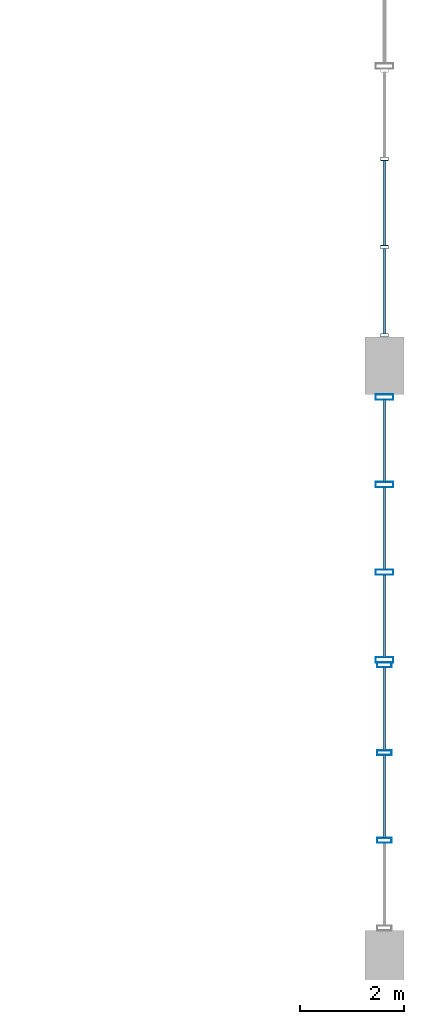
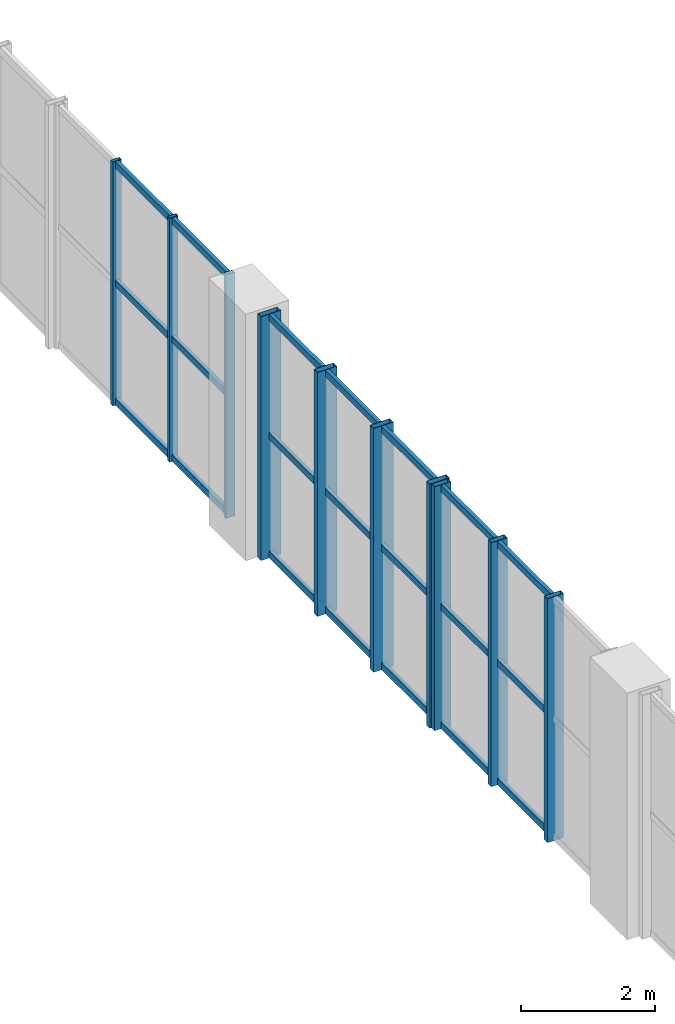
# One storey, part 44 of 80: 31 members, 3 elements without a shape of their own.
"""IFC4 building model written with IfcOpenShell, lengths in metres."""

import ifcopenshell
import ifcopenshell.guid

model = None  # the IFC model being written
_history = None  # IfcOwnerHistory: only IFC2X3 demands one
_inside = {}  # id of a spatial element -> (the spatial element, [elements in it])
_under = {}  # id of a project, library or spatial element -> (it, [spatial elements below it])
_declared = {}  # id of a project -> (the project, [libraries it declares])
_typed = {}  # id of a type object -> (the type object, [elements of that type])
_made_of = {}  # id of a material, layer set ... -> (it, [elements and type objects made of it])


def new_model(schema):
    """Start an empty IFC model of exactly this schema.

    Asked for "IFC4X3", IfcOpenShell would pick the latest addendum, in which some entities
    have other attributes; the version numbers below select the first issue.
    IFC2X3 requires an IfcOwnerHistory on every rooted entity: one is made here for all.
    """
    global model, _history
    if schema == "IFC4X3":
        model = ifcopenshell.file(schema_version=(4, 3, 0, 0))
    else:
        model = ifcopenshell.file(schema=schema)
    _inside.clear()
    _under.clear()
    _declared.clear()
    _typed.clear()
    _made_of.clear()
    _history = None
    if model.schema == "IFC2X3":
        org = make("IfcOrganization", Name="unknown")
        user = make(
            "IfcPersonAndOrganization",
            ThePerson=make("IfcPerson", FamilyName="unknown"),
            TheOrganization=org,
        )
        app = make(
            "IfcApplication",
            ApplicationDeveloper=org,
            Version="unknown",
            ApplicationFullName="unknown",
            ApplicationIdentifier="unknown",
        )
        _history = make(
            "IfcOwnerHistory",
            OwningUser=user,
            OwningApplication=app,
            ChangeAction="ADDED",
            CreationDate=0,
        )
    return model


def make(cls, **values):
    """One entity of the class cls with the attributes given. An attribute that is None is left unset."""
    return model.create_entity(
        cls, **{name: value for name, value in values.items() if value is not None}
    )


def rooted(cls, **values):
    """An entity with a GlobalId (a new one), such as an element, a storey or a relation."""
    return make(cls, GlobalId=ifcopenshell.guid.new(), OwnerHistory=_history, **values)


def si_unit(unit_type, name, prefix=None):
    """IfcSIUnit, for example si_unit("LENGTHUNIT", "METRE", prefix="MILLI")."""
    return make("IfcSIUnit", UnitType=unit_type, Prefix=prefix, Name=name)


def assignment(units):
    """IfcUnitAssignment: the units of a project."""
    return None if units is None else make("IfcUnitAssignment", Units=units)


def point(xyz):
    """IfcCartesianPoint."""
    return None if xyz is None else make("IfcCartesianPoint", Coordinates=xyz)


def direction(xyz):
    """IfcDirection."""
    return None if xyz is None else make("IfcDirection", DirectionRatios=xyz)


def frame(location, z_axis=None, x_axis=None):
    """IfcAxis2Placement3D, a coordinate frame: its origin and axes. An axis left out is left unset."""
    return make(
        "IfcAxis2Placement3D",
        Location=point(location),
        Axis=direction(z_axis),
        RefDirection=direction(x_axis),
    )


def frame_2d(location, x_axis=None):
    """IfcAxis2Placement2D, a coordinate frame in the plane: its origin and x axis."""
    return make(
        "IfcAxis2Placement2D", Location=point(location), RefDirection=direction(x_axis)
    )


def origin():
    """The frame at (0, 0, 0) with its axes left unset."""
    return frame((0.0, 0.0, 0.0))


def origin_2d():
    """The frame at (0, 0) in the plane with its x axis left unset."""
    return frame_2d((0.0, 0.0))


def place(relative_to, where):
    """IfcLocalPlacement: puts the frame where relative to a parent placement (None: the world)."""
    return make(
        "IfcLocalPlacement", PlacementRelTo=relative_to, RelativePlacement=where
    )


def context(
    kind, dimensions, precision=None, world=None, true_north=None, identifier=None
):
    """IfcGeometricRepresentationContext, for example the 3D "Model" context."""
    return make(
        "IfcGeometricRepresentationContext",
        ContextIdentifier=identifier,
        ContextType=kind,
        CoordinateSpaceDimension=dimensions,
        Precision=precision,
        WorldCoordinateSystem=world,
        TrueNorth=true_north,
    )


def subcontext(parent, identifier, kind, view, scale=None):
    """IfcGeometricRepresentationSubContext, for example "Body" below "Model"."""
    return make(
        "IfcGeometricRepresentationSubContext",
        ContextIdentifier=identifier,
        ContextType=kind,
        ParentContext=parent,
        TargetScale=scale,
        TargetView=view,
    )


def project(units=None, contexts=None):
    """IfcProject with its units and contexts."""
    return rooted(
        "IfcProject",
        Name="project",
        RepresentationContexts=contexts,
        UnitsInContext=assignment(units),
    )


def spatial(cls, under=None, at=None, **own):
    """A site, building, storey or space (cls), placed at a placement, below another one or the project."""
    s = rooted(cls, ObjectPlacement=at, **own)
    if under is not None:
        _under.setdefault(under.id(), (under, []))[1].append(s)
    return s


def profile(cls, at=None, kind="AREA", **sizes):
    """A parametric profile (cls). Its sizes go by their IFC names, for example OverallWidth=200.0."""
    return make(cls, ProfileType=kind, Position=at, **sizes)


def hollow_rectangle(**sizes):
    """IfcRectangleHollowProfileDef."""
    return profile("IfcRectangleHollowProfileDef", **sizes)


def extrude(swept, where, along, depth):
    """IfcExtrudedAreaSolid: the profile swept, set in the frame where, extruded along a direction by depth."""
    return make(
        "IfcExtrudedAreaSolid",
        SweptArea=swept,
        Position=where,
        ExtrudedDirection=direction(along),
        Depth=depth,
    )


def shape(context_of_items, identifier, shape_type, items):
    """IfcShapeRepresentation: the items that make up one representation, for example the "Body"."""
    return make(
        "IfcShapeRepresentation",
        ContextOfItems=context_of_items,
        RepresentationIdentifier=identifier,
        RepresentationType=shape_type,
        Items=items,
    )


def material(Name=None, Category=None):
    """IfcMaterial."""
    return make("IfcMaterial", Name=Name, Category=Category)


def layer(
    of_material, thickness, ventilated=None, Name=None, Category=None, Priority=None
):
    """IfcMaterialLayer: one layer of a wall or slab, of a material (None: an air gap)."""
    return make(
        "IfcMaterialLayer",
        Material=of_material,
        LayerThickness=thickness,
        IsVentilated=ventilated,
        Name=Name,
        Category=Category,
        Priority=Priority,
    )


def layer_set(layers, Name=None):
    """IfcMaterialLayerSet."""
    return make("IfcMaterialLayerSet", MaterialLayers=layers, LayerSetName=Name)


def material_profile(
    of_material, cross_section, Name=None, Category=None, Priority=None
):
    """IfcMaterialProfile: a cross section and its material."""
    return make(
        "IfcMaterialProfile",
        Name=Name,
        Material=of_material,
        Profile=cross_section,
        Priority=Priority,
        Category=Category,
    )


def profile_set(profiles, Name=None, composite=None):
    """IfcMaterialProfileSet."""
    return make(
        "IfcMaterialProfileSet",
        Name=Name,
        MaterialProfiles=profiles,
        CompositeProfile=composite,
    )


def made_of(thing, what):
    """Note that an element or type object is made of a material, layer set ...; save() writes the relation."""
    if what is not None:
        _made_of.setdefault(what.id(), (what, []))[1].append(thing)
    return thing


def type_object(cls, material=None, **own):
    """A type object (cls), such as IfcWallType, which elements share."""
    return made_of(rooted(cls, **own), material)


def element(
    cls,
    number,
    at=None,
    inside=None,
    cuts=None,
    type_object=None,
    material=None,
    context=None,
    identifier="Body",
    shape_type=None,
    held_by="IfcProductDefinitionShape",
    body=None,
    shapes=None,
    **own,
):
    """One element of the class cls, such as IfcWall. Its Tag is "e" and its number.

    at: its placement. inside: the storey or other place that contains it. cuts: it is an
    opening in that element (IfcRelVoidsElement). A single representation is given by context,
    identifier, shape_type and body (its items); several are given by shapes. held_by: the class
    of the entity that holds the representations. save() writes the other relations.
    """
    e = rooted(cls, Tag="e%d" % number, ObjectPlacement=at, **own)
    if body is not None:
        shapes = [shape(context, identifier, shape_type, body)]
    if shapes is not None:
        e.Representation = make(held_by, Representations=shapes)
    if inside is not None:
        _inside.setdefault(inside.id(), (inside, []))[1].append(e)
    if cuts is not None:
        rooted(
            "IfcRelVoidsElement", RelatingBuildingElement=cuts, RelatedOpeningElement=e
        )
    if type_object is not None:
        _typed.setdefault(type_object.id(), (type_object, []))[1].append(e)
    return made_of(e, material)


def aggregate(whole, parts):
    """IfcRelAggregates: a whole, such as a stair, and the parts it consists of."""
    return rooted("IfcRelAggregates", RelatingObject=whole, RelatedObjects=parts)


def save(model, path):
    """Write the relations noted so far, then the file.

    IfcRelAggregates (storeys below a building ...), IfcRelContainedInSpatialStructure (elements
    in a storey), IfcRelDefinesByType, IfcRelAssociatesMaterial and IfcRelDeclares: one each for
    every whole, place, type object, material and project.
    """
    for whole, parts in _under.values():
        aggregate(whole, parts)
    for where, things in _inside.values():
        rooted(
            "IfcRelContainedInSpatialStructure",
            RelatedElements=things,
            RelatingStructure=where,
        )
    for kind, things in _typed.values():
        rooted("IfcRelDefinesByType", RelatedObjects=things, RelatingType=kind)
    for what, things in _made_of.values():
        rooted("IfcRelAssociatesMaterial", RelatedObjects=things, RelatingMaterial=what)
    for by, libraries in _declared.values():
        rooted("IfcRelDeclares", RelatingContext=by, RelatedDefinitions=libraries)
    model.write(path)


model = new_model("IFC4")

# Units and contexts
model_context = context("Model", 3, precision=1e-05, world=origin(), true_north=direction((0.0, 1.0)))
body_context = subcontext(model_context, "Body", "Model", "MODEL_VIEW")
ifc_project = project(units=[si_unit("LENGTHUNIT", "METRE"), si_unit("AREAUNIT", "SQUARE_METRE"), si_unit("VOLUMEUNIT", "CUBIC_METRE"), si_unit("PLANEANGLEUNIT", "RADIAN"), si_unit("MASSUNIT", "GRAM", prefix="KILO"), si_unit("POWERUNIT", "WATT"), si_unit("THERMODYNAMICTEMPERATUREUNIT", "KELVIN")], contexts=[model_context])

# Site, building, storey
site_placement = place(None, origin())
site = spatial("IfcSite", under=ifc_project, at=site_placement, CompositionType="ELEMENT")
building_placement = place(site_placement, origin())
building = spatial("IfcBuilding", under=site, at=building_placement, Name="Kelmbourne Parkland Aquatics Centre", CompositionType="ELEMENT")
storey_placement = place(building_placement, frame((0.0, 0.0, 10.199951171875)))
storey = spatial("IfcBuildingStorey", under=building, at=storey_placement, Name="L02", CompositionType="ELEMENT", Elevation=10.199951171875)

# Curtain wall, members
ifc_material = material(Name="Thermally broken anodised aluminium framing", Category="aluminium")
ifc_layer_1 = layer(ifc_material, 0.179931640625)
ifc_layer_set_1 = layer_set([ifc_layer_1], Name="Thermally broken anodised aluminium framing")
curtain_wall_type_1 = type_object("IfcCurtainWallType", Name="CW-06", PredefinedType="NOTDEFINED", material=ifc_layer_set_1)
curtain_wall_1_placement = place(storey_placement, origin())
curtain_wall_1 = element("IfcCurtainWall", 1, at=curtain_wall_1_placement, inside=storey, type_object=curtain_wall_type_1, Name="Wave-hall clerestory curtain wall CW-L02-030", PredefinedType="NOTDEFINED")
ifc_material_profile_1 = material_profile(ifc_material, hollow_rectangle(XDim=0.06494140625, YDim=0.14990234375, WallThickness=0.00390625, at=origin_2d()), Name="CW-M 65x150")
ifc_profile_set_1 = profile_set([ifc_material_profile_1], Name="Thermally broken anodised aluminium framing")
member_type_1 = type_object("IfcMemberType", Name="MB-MUL-1", PredefinedType="MULLION", material=ifc_profile_set_1)
member_1_placement = place(storey_placement, frame((175.199951171875, 24.1845703125, 0.0), z_axis=(0.0, 0.0, 1.0), x_axis=(0.0, 1.0, 0.0)))
member_1 = element("IfcMember", 2, at=member_1_placement, type_object=member_type_1, Name="CW-L02-030 mullion 0", PredefinedType="MULLION", context=body_context, shape_type="SweptSolid", body=[
    extrude(hollow_rectangle(XDim=0.06494140625, YDim=0.14990234375, WallThickness=0.00390625, at=origin_2d()), origin(), (0.0, 0.0, 1.0), 4.449951171875),
])
member_2_placement = place(storey_placement, frame((175.199951171875, 25.87890625, 0.0), z_axis=(0.0, 0.0, 1.0), x_axis=(0.0, 1.0, 0.0)))
member_2 = element("IfcMember", 3, at=member_2_placement, type_object=member_type_1, Name="CW-L02-030 mullion 1", PredefinedType="MULLION", context=body_context, shape_type="SweptSolid", body=[
    extrude(hollow_rectangle(XDim=0.06494140625, YDim=0.14990234375, WallThickness=0.00390625, at=origin_2d()), origin(), (0.0, 0.0, 1.0), 4.449951171875),
])
member_3_placement = place(storey_placement, frame((175.199951171875, 27.5732421875, 0.0), z_axis=(0.0, 0.0, 1.0), x_axis=(0.0, 1.0, 0.0)))
member_3 = element("IfcMember", 4, at=member_3_placement, type_object=member_type_1, Name="CW-L02-030 mullion 2", PredefinedType="MULLION", context=body_context, shape_type="SweptSolid", body=[
    extrude(hollow_rectangle(XDim=0.06494140625, YDim=0.14990234375, WallThickness=0.00390625, at=origin_2d()), origin(), (0.0, 0.0, 1.0), 4.449951171875),
])

ifc_layer_2 = layer(ifc_material, 0.179931640625)
ifc_layer_set_2 = layer_set([ifc_layer_2], Name="Thermally broken anodised aluminium framing")
curtain_wall_type_2 = type_object("IfcCurtainWallType", Name="CW-18", PredefinedType="NOTDEFINED", material=ifc_layer_set_2)
curtain_wall_2_placement = place(storey_placement, origin())
curtain_wall_2 = element("IfcCurtainWall", 5, at=curtain_wall_2_placement, inside=storey, type_object=curtain_wall_type_2, Name="Wave-hall clerestory curtain wall CW-L02-018", PredefinedType="NOTDEFINED")
ifc_material_profile_2 = material_profile(ifc_material, hollow_rectangle(XDim=0.094970703125, YDim=0.280029296875, WallThickness=0.005615234375, at=origin_2d()), Name="CW-M 95x280")
ifc_profile_set_2 = profile_set([ifc_material_profile_2], Name="Thermally broken anodised aluminium framing")
member_type_2 = type_object("IfcMemberType", Name="MB-MUL-4", PredefinedType="MULLION", material=ifc_profile_set_2)
member_4_placement = place(storey_placement, frame((175.199951171875, 14.48388671875, 0.0), z_axis=(0.0, 0.0, 1.0), x_axis=(0.0, 1.0, 0.0)))
member_4 = element("IfcMember", 6, at=member_4_placement, type_object=member_type_2, Name="CW-L02-018 mullion 1", PredefinedType="MULLION", context=body_context, shape_type="SweptSolid", body=[
    extrude(hollow_rectangle(XDim=0.094970703125, YDim=0.280029296875, WallThickness=0.005615234375, at=origin_2d()), origin(), (0.0, 0.0, 1.0), 4.449951171875),
])
member_5_placement = place(storey_placement, frame((175.199951171875, 16.168212890625, 0.0), z_axis=(0.0, 0.0, 1.0), x_axis=(0.0, 1.0, 0.0)))
member_5 = element("IfcMember", 7, at=member_5_placement, type_object=member_type_2, Name="CW-L02-018 mullion 2", PredefinedType="MULLION", context=body_context, shape_type="SweptSolid", body=[
    extrude(hollow_rectangle(XDim=0.094970703125, YDim=0.280029296875, WallThickness=0.005615234375, at=origin_2d()), origin(), (0.0, 0.0, 1.0), 4.449951171875),
])
member_6_placement = place(storey_placement, frame((175.199951171875, 17.8525390625, 0.0), z_axis=(0.0, 0.0, 1.0), x_axis=(0.0, 1.0, 0.0)))
member_6 = element("IfcMember", 8, at=member_6_placement, type_object=member_type_2, Name="CW-L02-018 mullion 3", PredefinedType="MULLION", context=body_context, shape_type="SweptSolid", body=[
    extrude(hollow_rectangle(XDim=0.094970703125, YDim=0.280029296875, WallThickness=0.005615234375, at=origin_2d()), origin(), (0.0, 0.0, 1.0), 4.449951171875),
])

ifc_layer_3 = layer(ifc_material, 0.179931640625)
ifc_layer_set_3 = layer_set([ifc_layer_3], Name="Thermally broken anodised aluminium framing")
curtain_wall_type_3 = type_object("IfcCurtainWallType", Name="CW-24", PredefinedType="NOTDEFINED", material=ifc_layer_set_3)
curtain_wall_3_placement = place(storey_placement, origin())
curtain_wall_3 = element("IfcCurtainWall", 9, at=curtain_wall_3_placement, inside=storey, type_object=curtain_wall_type_3, Name="Wave-hall clerestory curtain wall CW-L02-024", PredefinedType="NOTDEFINED")
ifc_material_profile_3 = material_profile(ifc_material, hollow_rectangle(XDim=0.10498046875, YDim=0.340087890625, WallThickness=0.006103515625, at=origin_2d()), Name="CW-M 105x340")
ifc_profile_set_3 = profile_set([ifc_material_profile_3], Name="Thermally broken anodised aluminium framing")
member_type_3 = type_object("IfcMemberType", Name="MB-MUL-5", PredefinedType="MULLION", material=ifc_profile_set_3)
member_7_placement = place(storey_placement, frame((175.199951171875, 17.952392578125, 0.0), z_axis=(0.0, 0.0, 1.0), x_axis=(0.0, 1.0, 0.0)))
member_7 = element("IfcMember", 10, at=member_7_placement, type_object=member_type_3, Name="CW-L02-024 mullion 0", PredefinedType="MULLION", context=body_context, shape_type="SweptSolid", body=[
    extrude(hollow_rectangle(XDim=0.10498046875, YDim=0.340087890625, WallThickness=0.006103515625, at=origin_2d()), origin(), (0.0, 0.0, 1.0), 4.449951171875),
])
member_8_placement = place(storey_placement, frame((175.199951171875, 19.633544921875, 0.0), z_axis=(0.0, 0.0, 1.0), x_axis=(0.0, 1.0, 0.0)))
member_8 = element("IfcMember", 11, at=member_8_placement, type_object=member_type_3, Name="CW-L02-024 mullion 1", PredefinedType="MULLION", context=body_context, shape_type="SweptSolid", body=[
    extrude(hollow_rectangle(XDim=0.10498046875, YDim=0.340087890625, WallThickness=0.006103515625, at=origin_2d()), origin(), (0.0, 0.0, 1.0), 4.449951171875),
])
member_9_placement = place(storey_placement, frame((175.199951171875, 21.314453125, 0.0), z_axis=(0.0, 0.0, 1.0), x_axis=(0.0, 1.0, 0.0)))
member_9 = element("IfcMember", 12, at=member_9_placement, type_object=member_type_3, Name="CW-L02-024 mullion 2", PredefinedType="MULLION", context=body_context, shape_type="SweptSolid", body=[
    extrude(hollow_rectangle(XDim=0.10498046875, YDim=0.340087890625, WallThickness=0.006103515625, at=origin_2d()), origin(), (0.0, 0.0, 1.0), 4.449951171875),
])
member_10_placement = place(storey_placement, frame((175.199951171875, 22.99560546875, 0.0), z_axis=(0.0, 0.0, 1.0), x_axis=(0.0, 1.0, 0.0)))
member_10 = element("IfcMember", 13, at=member_10_placement, type_object=member_type_3, Name="CW-L02-024 mullion 3", PredefinedType="MULLION", context=body_context, shape_type="SweptSolid", body=[
    extrude(hollow_rectangle(XDim=0.10498046875, YDim=0.340087890625, WallThickness=0.006103515625, at=origin_2d()), origin(), (0.0, 0.0, 1.0), 4.449951171875),
])

# Member
ifc_material_profile_4 = material_profile(ifc_material, hollow_rectangle(XDim=0.06494140625, YDim=0.1201171875, WallThickness=0.00341796875, at=origin_2d()), Name="CW-T 65x120")
ifc_profile_set_4 = profile_set([ifc_material_profile_4], Name="Thermally broken anodised aluminium framing")
member_type_4 = type_object("IfcMemberType", Name="MB-TRN-1", PredefinedType="USERDEFINED", material=ifc_profile_set_4)
member_11_placement = place(storey_placement, frame((175.199951171875, 14.52734375, 0.06298828125), z_axis=(0.0, 1.0, 0.0), x_axis=(-1.0, 0.0, 0.0)))
member_11 = element("IfcMember", 14, at=member_11_placement, type_object=member_type_4, Name="CW-L02-018 transom 0-1", ObjectType="TRANSOM", PredefinedType="USERDEFINED", context=body_context, shape_type="SweptSolid", body=[
    extrude(hollow_rectangle(XDim=0.06494140625, YDim=0.1201171875, WallThickness=0.00341796875, at=origin_2d()), origin(), (0.0, 0.0, 1.0), 1.597412109375),
])

member_12_placement = place(storey_placement, frame((175.199951171875, 16.211669921875, 0.06298828125), z_axis=(0.0, 1.0, 0.0), x_axis=(-1.0, 0.0, 0.0)))
member_12 = element("IfcMember", 15, at=member_12_placement, type_object=member_type_4, Name="CW-L02-018 transom 0-2", ObjectType="TRANSOM", PredefinedType="USERDEFINED", context=body_context, shape_type="SweptSolid", body=[
    extrude(hollow_rectangle(XDim=0.06494140625, YDim=0.1201171875, WallThickness=0.00341796875, at=origin_2d()), origin(), (0.0, 0.0, 1.0), 1.597412109375),
])

member_13_placement = place(storey_placement, frame((175.199951171875, 14.52734375, 2.22509765625), z_axis=(0.0, 1.0, 0.0), x_axis=(-1.0, 0.0, 0.0)))
member_13 = element("IfcMember", 16, at=member_13_placement, type_object=member_type_4, Name="CW-L02-018 transom 1-1", ObjectType="TRANSOM", PredefinedType="USERDEFINED", context=body_context, shape_type="SweptSolid", body=[
    extrude(hollow_rectangle(XDim=0.06494140625, YDim=0.1201171875, WallThickness=0.00341796875, at=origin_2d()), origin(), (0.0, 0.0, 1.0), 1.597412109375),
])

member_14_placement = place(storey_placement, frame((175.199951171875, 16.211669921875, 2.22509765625), z_axis=(0.0, 1.0, 0.0), x_axis=(-1.0, 0.0, 0.0)))
member_14 = element("IfcMember", 17, at=member_14_placement, type_object=member_type_4, Name="CW-L02-018 transom 1-2", ObjectType="TRANSOM", PredefinedType="USERDEFINED", context=body_context, shape_type="SweptSolid", body=[
    extrude(hollow_rectangle(XDim=0.06494140625, YDim=0.1201171875, WallThickness=0.00341796875, at=origin_2d()), origin(), (0.0, 0.0, 1.0), 1.597412109375),
])

member_15_placement = place(storey_placement, frame((175.199951171875, 14.52734375, 4.386962890625), z_axis=(0.0, 1.0, 0.0), x_axis=(-1.0, 0.0, 0.0)))
member_15 = element("IfcMember", 18, at=member_15_placement, type_object=member_type_4, Name="CW-L02-018 transom 2-1", ObjectType="TRANSOM", PredefinedType="USERDEFINED", context=body_context, shape_type="SweptSolid", body=[
    extrude(hollow_rectangle(XDim=0.06494140625, YDim=0.1201171875, WallThickness=0.00341796875, at=origin_2d()), origin(), (0.0, 0.0, 1.0), 1.597412109375),
])

member_16_placement = place(storey_placement, frame((175.199951171875, 16.211669921875, 4.386962890625), z_axis=(0.0, 1.0, 0.0), x_axis=(-1.0, 0.0, 0.0)))
member_16 = element("IfcMember", 19, at=member_16_placement, type_object=member_type_4, Name="CW-L02-018 transom 2-2", ObjectType="TRANSOM", PredefinedType="USERDEFINED", context=body_context, shape_type="SweptSolid", body=[
    extrude(hollow_rectangle(XDim=0.06494140625, YDim=0.1201171875, WallThickness=0.00341796875, at=origin_2d()), origin(), (0.0, 0.0, 1.0), 1.597412109375),
])

aggregate(curtain_wall_2, [member_4, member_5, member_6, member_11, member_12, member_13, member_14, member_15, member_16])

member_17_placement = place(storey_placement, frame((175.199951171875, 18.0009765625, 0.06298828125), z_axis=(0.0, 1.0, 0.0), x_axis=(-1.0, 0.0, 0.0)))
member_17 = element("IfcMember", 20, at=member_17_placement, type_object=member_type_4, Name="CW-L02-024 transom 0-0", ObjectType="TRANSOM", PredefinedType="USERDEFINED", context=body_context, shape_type="SweptSolid", body=[
    extrude(hollow_rectangle(XDim=0.06494140625, YDim=0.1201171875, WallThickness=0.00341796875, at=origin_2d()), origin(), (0.0, 0.0, 1.0), 1.583984375),
])

member_18_placement = place(storey_placement, frame((175.199951171875, 19.681884765625, 0.06298828125), z_axis=(0.0, 1.0, 0.0), x_axis=(-1.0, 0.0, 0.0)))
member_18 = element("IfcMember", 21, at=member_18_placement, type_object=member_type_4, Name="CW-L02-024 transom 0-1", ObjectType="TRANSOM", PredefinedType="USERDEFINED", context=body_context, shape_type="SweptSolid", body=[
    extrude(hollow_rectangle(XDim=0.06494140625, YDim=0.1201171875, WallThickness=0.00341796875, at=origin_2d()), origin(), (0.0, 0.0, 1.0), 1.584228515625),
])

member_19_placement = place(storey_placement, frame((175.199951171875, 21.363037109375, 0.06298828125), z_axis=(0.0, 1.0, 0.0), x_axis=(-1.0, 0.0, 0.0)))
member_19 = element("IfcMember", 22, at=member_19_placement, type_object=member_type_4, Name="CW-L02-024 transom 0-2", ObjectType="TRANSOM", PredefinedType="USERDEFINED", context=body_context, shape_type="SweptSolid", body=[
    extrude(hollow_rectangle(XDim=0.06494140625, YDim=0.1201171875, WallThickness=0.00341796875, at=origin_2d()), origin(), (0.0, 0.0, 1.0), 1.583984375),
])

member_20_placement = place(storey_placement, frame((175.199951171875, 18.0009765625, 2.22509765625), z_axis=(0.0, 1.0, 0.0), x_axis=(-1.0, 0.0, 0.0)))
member_20 = element("IfcMember", 23, at=member_20_placement, type_object=member_type_4, Name="CW-L02-024 transom 1-0", ObjectType="TRANSOM", PredefinedType="USERDEFINED", context=body_context, shape_type="SweptSolid", body=[
    extrude(hollow_rectangle(XDim=0.06494140625, YDim=0.1201171875, WallThickness=0.00341796875, at=origin_2d()), origin(), (0.0, 0.0, 1.0), 1.583984375),
])

member_21_placement = place(storey_placement, frame((175.199951171875, 19.681884765625, 2.22509765625), z_axis=(0.0, 1.0, 0.0), x_axis=(-1.0, 0.0, 0.0)))
member_21 = element("IfcMember", 24, at=member_21_placement, type_object=member_type_4, Name="CW-L02-024 transom 1-1", ObjectType="TRANSOM", PredefinedType="USERDEFINED", context=body_context, shape_type="SweptSolid", body=[
    extrude(hollow_rectangle(XDim=0.06494140625, YDim=0.1201171875, WallThickness=0.00341796875, at=origin_2d()), origin(), (0.0, 0.0, 1.0), 1.584228515625),
])

member_22_placement = place(storey_placement, frame((175.199951171875, 21.363037109375, 2.22509765625), z_axis=(0.0, 1.0, 0.0), x_axis=(-1.0, 0.0, 0.0)))
member_22 = element("IfcMember", 25, at=member_22_placement, type_object=member_type_4, Name="CW-L02-024 transom 1-2", ObjectType="TRANSOM", PredefinedType="USERDEFINED", context=body_context, shape_type="SweptSolid", body=[
    extrude(hollow_rectangle(XDim=0.06494140625, YDim=0.1201171875, WallThickness=0.00341796875, at=origin_2d()), origin(), (0.0, 0.0, 1.0), 1.583984375),
])

member_23_placement = place(storey_placement, frame((175.199951171875, 18.0009765625, 4.386962890625), z_axis=(0.0, 1.0, 0.0), x_axis=(-1.0, 0.0, 0.0)))
member_23 = element("IfcMember", 26, at=member_23_placement, type_object=member_type_4, Name="CW-L02-024 transom 2-0", ObjectType="TRANSOM", PredefinedType="USERDEFINED", context=body_context, shape_type="SweptSolid", body=[
    extrude(hollow_rectangle(XDim=0.06494140625, YDim=0.1201171875, WallThickness=0.00341796875, at=origin_2d()), origin(), (0.0, 0.0, 1.0), 1.583984375),
])

member_24_placement = place(storey_placement, frame((175.199951171875, 19.681884765625, 4.386962890625), z_axis=(0.0, 1.0, 0.0), x_axis=(-1.0, 0.0, 0.0)))
member_24 = element("IfcMember", 27, at=member_24_placement, type_object=member_type_4, Name="CW-L02-024 transom 2-1", ObjectType="TRANSOM", PredefinedType="USERDEFINED", context=body_context, shape_type="SweptSolid", body=[
    extrude(hollow_rectangle(XDim=0.06494140625, YDim=0.1201171875, WallThickness=0.00341796875, at=origin_2d()), origin(), (0.0, 0.0, 1.0), 1.584228515625),
])

member_25_placement = place(storey_placement, frame((175.199951171875, 21.363037109375, 4.386962890625), z_axis=(0.0, 1.0, 0.0), x_axis=(-1.0, 0.0, 0.0)))
member_25 = element("IfcMember", 28, at=member_25_placement, type_object=member_type_4, Name="CW-L02-024 transom 2-2", ObjectType="TRANSOM", PredefinedType="USERDEFINED", context=body_context, shape_type="SweptSolid", body=[
    extrude(hollow_rectangle(XDim=0.06494140625, YDim=0.1201171875, WallThickness=0.00341796875, at=origin_2d()), origin(), (0.0, 0.0, 1.0), 1.583984375),
])

aggregate(curtain_wall_3, [member_7, member_8, member_9, member_10, member_17, member_18, member_19, member_20, member_21, member_22, member_23, member_24, member_25])

member_26_placement = place(storey_placement, frame((175.199951171875, 24.212890625, 0.06298828125), z_axis=(0.0, 1.0, 0.0), x_axis=(-1.0, 0.0, 0.0)))
member_26 = element("IfcMember", 29, at=member_26_placement, type_object=member_type_4, Name="CW-L02-030 transom 0-0", ObjectType="TRANSOM", PredefinedType="USERDEFINED", context=body_context, shape_type="SweptSolid", body=[
    extrude(hollow_rectangle(XDim=0.06494140625, YDim=0.1201171875, WallThickness=0.00341796875, at=origin_2d()), origin(), (0.0, 0.0, 1.0), 1.637451171875),
])

member_27_placement = place(storey_placement, frame((175.199951171875, 25.9072265625, 0.06298828125), z_axis=(0.0, 1.0, 0.0), x_axis=(-1.0, 0.0, 0.0)))
member_27 = element("IfcMember", 30, at=member_27_placement, type_object=member_type_4, Name="CW-L02-030 transom 0-1", ObjectType="TRANSOM", PredefinedType="USERDEFINED", context=body_context, shape_type="SweptSolid", body=[
    extrude(hollow_rectangle(XDim=0.06494140625, YDim=0.1201171875, WallThickness=0.00341796875, at=origin_2d()), origin(), (0.0, 0.0, 1.0), 1.637451171875),
])

member_28_placement = place(storey_placement, frame((175.199951171875, 24.212890625, 2.22509765625), z_axis=(0.0, 1.0, 0.0), x_axis=(-1.0, 0.0, 0.0)))
member_28 = element("IfcMember", 31, at=member_28_placement, type_object=member_type_4, Name="CW-L02-030 transom 1-0", ObjectType="TRANSOM", PredefinedType="USERDEFINED", context=body_context, shape_type="SweptSolid", body=[
    extrude(hollow_rectangle(XDim=0.06494140625, YDim=0.1201171875, WallThickness=0.00341796875, at=origin_2d()), origin(), (0.0, 0.0, 1.0), 1.637451171875),
])

member_29_placement = place(storey_placement, frame((175.199951171875, 25.9072265625, 2.22509765625), z_axis=(0.0, 1.0, 0.0), x_axis=(-1.0, 0.0, 0.0)))
member_29 = element("IfcMember", 32, at=member_29_placement, type_object=member_type_4, Name="CW-L02-030 transom 1-1", ObjectType="TRANSOM", PredefinedType="USERDEFINED", context=body_context, shape_type="SweptSolid", body=[
    extrude(hollow_rectangle(XDim=0.06494140625, YDim=0.1201171875, WallThickness=0.00341796875, at=origin_2d()), origin(), (0.0, 0.0, 1.0), 1.637451171875),
])

member_30_placement = place(storey_placement, frame((175.199951171875, 24.212890625, 4.386962890625), z_axis=(0.0, 1.0, 0.0), x_axis=(-1.0, 0.0, 0.0)))
member_30 = element("IfcMember", 33, at=member_30_placement, type_object=member_type_4, Name="CW-L02-030 transom 2-0", ObjectType="TRANSOM", PredefinedType="USERDEFINED", context=body_context, shape_type="SweptSolid", body=[
    extrude(hollow_rectangle(XDim=0.06494140625, YDim=0.1201171875, WallThickness=0.00341796875, at=origin_2d()), origin(), (0.0, 0.0, 1.0), 1.637451171875),
])

member_31_placement = place(storey_placement, frame((175.199951171875, 25.9072265625, 4.386962890625), z_axis=(0.0, 1.0, 0.0), x_axis=(-1.0, 0.0, 0.0)))
member_31 = element("IfcMember", 34, at=member_31_placement, type_object=member_type_4, Name="CW-L02-030 transom 2-1", ObjectType="TRANSOM", PredefinedType="USERDEFINED", context=body_context, shape_type="SweptSolid", body=[
    extrude(hollow_rectangle(XDim=0.06494140625, YDim=0.1201171875, WallThickness=0.00341796875, at=origin_2d()), origin(), (0.0, 0.0, 1.0), 1.637451171875),
])

aggregate(curtain_wall_1, [member_1, member_2, member_3, member_26, member_27, member_28, member_29, member_30, member_31])

save(model, "model.ifc")
